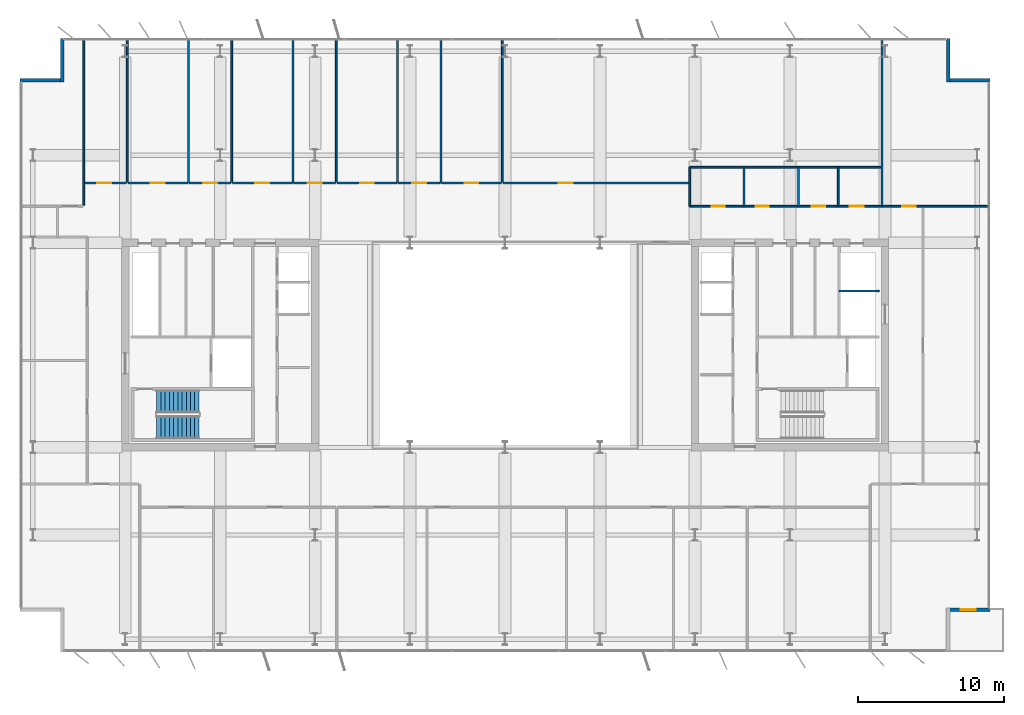
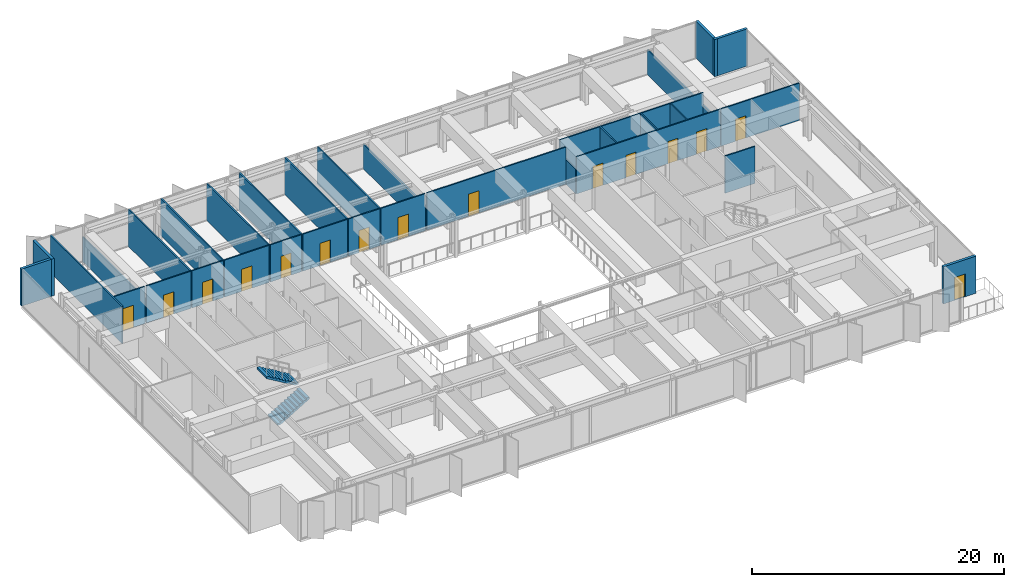
# One storey, part 19 of 24: 32 walls, 15 doors, 2 stair flights, 15 openings, 1 element without a shape of its own.
"""IFC4 building model written with IfcOpenShell, lengths in metres."""

from ifc_helpers import new_model, si_unit, direction, frame, frame_2d, origin, place, context, subcontext, project, spatial, polyline, rectangle, outline, extrude, material, layer, layer_set, type_object, element, fill, aggregate, save


model = new_model("IFC4")

# Units and contexts
model_context = context("Model", 3, precision=1e-05, world=origin(), true_north=direction((0.0, 1.0)))
body_context = subcontext(model_context, "Body", "Model", "MODEL_VIEW")
ifc_project = project(units=[si_unit("LENGTHUNIT", "METRE"), si_unit("AREAUNIT", "SQUARE_METRE"), si_unit("VOLUMEUNIT", "CUBIC_METRE"), si_unit("PLANEANGLEUNIT", "RADIAN"), si_unit("MASSUNIT", "GRAM", prefix="KILO")], contexts=[model_context])

# Site, building, storey
site_placement = place(None, origin())
site = spatial("IfcSite", under=ifc_project, at=site_placement, CompositionType="ELEMENT")
building_placement = place(site_placement, origin())
building = spatial("IfcBuilding", under=site, at=building_placement, Name="Putna Gate Headquarters", CompositionType="ELEMENT")
storey_placement = place(building_placement, frame((0.0, 0.0, 251.800048828125)))
storey = spatial("IfcBuildingStorey", under=building, at=storey_placement, Name="L63", CompositionType="ELEMENT", Elevation=251.800048828125)

# Walls
ifc_material_1 = material(Name="Precast concrete C40/50", Category="concrete")
ifc_layer_1 = layer(ifc_material_1, 0.239990234375)
ifc_layer_set_1 = layer_set([ifc_layer_1], Name="Precast concrete C40/50")
wall_type_1 = type_object("IfcWallType", Name="WALL-EXT-TERR-240", PredefinedType="STANDARD", material=ifc_layer_set_1)
for number, where, z_axis, x_axis, name in (
    (1, (8.679931640625, 44.0, 0.0), (0.0, 0.0, 1.0), (0.0, 1.0, 0.0), "L63 Corner Notch Return Wall NW-V"),
    (2, (5.800048828125, 44.1201171875, 0.0), (0.0, 0.0, 1.0), (1.0, 0.0, 0.0), "L63 Corner Notch Return Wall NW-H"),
    (3, (69.320068359375, 47.0, 0.0), (0.0, 0.0, 1.0), (0.0, -1.0, 0.0), "L63 Corner Notch Return Wall NE-V"),
    (4, (69.199951171875, 44.1201171875, 0.0), (0.0, 0.0, 1.0), (1.0, 0.0, 0.0), "L63 Corner Notch Return Wall NE-H"),
):
    element("IfcWall", number, at=place(storey_placement, frame(where, z_axis=z_axis, x_axis=x_axis)), inside=storey, type_object=wall_type_1, Name=name, PredefinedType="STANDARD", context=body_context, shape_type="SweptSolid", body=[
        extrude(rectangle(XDim=3.0, YDim=0.239990234375, at=frame_2d((1.5, 0.0))), origin(), (0.0, 0.0, 1.0), 3.587890625),
    ])

# Wall, opening, door
wall_1_placement = place(storey_placement, frame((72.199951171875, 7.8798828125, 0.0), z_axis=(0.0, 0.0, 1.0), x_axis=(-1.0, 0.0, 0.0)))
wall_1 = element("IfcWall", 5, at=wall_1_placement, inside=storey, type_object=wall_type_1, Name="L63 Corner Notch Return Wall SE-H", PredefinedType="STANDARD", context=body_context, shape_type="SweptSolid", body=[
    extrude(rectangle(XDim=3.0, YDim=0.239990234375, at=frame_2d((1.5, 0.0))), origin(), (0.0, 0.0, 1.0), 3.587890625),
])
opening_1_placement = place(wall_1_placement, frame((1.0, 0.0, 0.0)))
opening_1 = element("IfcOpeningElement", 6, at=opening_1_placement, cuts=wall_1, Name="Opening TRD-1", PredefinedType="OPENING", context=body_context, shape_type="SweptSolid", body=[
    extrude(rectangle(XDim=1.0, YDim=2.199951171875, at=frame_2d((0.5, 1.10009765625))), frame((0.0, 0.1298828125, 0.0), z_axis=(0.0, -1.0, 0.0), x_axis=(1.0, 0.0, 0.0)), (0.0, 0.0, 1.0), 0.260009765625),
])
ifc_material_2 = material(Name="Thermally broken bronze glazed terrace door")
door_type_1 = type_object("IfcDoorType", Name="DOOR-TERR-EXT-1000", OperationType="NOTDEFINED", PredefinedType="DOOR", material=ifc_material_2)
door_1_placement = place(opening_1_placement, origin())
door_1 = element("IfcDoor", 7, at=door_1_placement, inside=storey, type_object=door_type_1, Name="L63 Spiral Sky Terrace Door SE", OperationType="SINGLE_SWING_RIGHT", OverallHeight=2.199951171875, OverallWidth=1.0, PredefinedType="DOOR", context=body_context, shape_type="SweptSolid", body=[
    extrude(rectangle(XDim=1.0, YDim=2.199951171875, at=frame_2d((0.5, 1.10009765625))), frame((0.0, 0.02490234375, 0.0), z_axis=(0.0, -1.0, 0.0), x_axis=(1.0, 0.0, 0.0)), (0.0, 0.0, 1.0), 0.050048828125),
])
fill(opening_1, door_1)

# Walls
ifc_material_3 = material(Name="Acoustic gypsum board on metal stud")
ifc_layer_2 = layer(ifc_material_3, 0.1201171875)
ifc_layer_set_2 = layer_set([ifc_layer_2], Name="Acoustic gypsum board on metal stud")
wall_type_2 = type_object("IfcWallType", Name="WALL-PART-120", PredefinedType="PARTITIONING", material=ifc_layer_set_2)
wall_2_placement = place(storey_placement, frame((10.169921875, 35.56005859375, 0.0), z_axis=(0.0, 0.0, 1.0), x_axis=(0.0, 1.0, 0.0)))
element("IfcWall", 8, at=wall_2_placement, inside=storey, type_object=wall_type_2, Name="L63 Interior Wall PART-L63-NB-DIV-01", PredefinedType="PARTITIONING", context=body_context, shape_type="SweptSolid", body=[
    extrude(rectangle(XDim=11.419921875, YDim=0.1201171875, at=frame_2d((5.7099609375, 0.0))), origin(), (0.0, 0.0, 1.0), 3.587890625),
])
wall_3_placement = place(storey_placement, frame((13.1376953125, 37.159912109375, 0.0), z_axis=(0.0, 0.0, 1.0), x_axis=(0.0, 1.0, 0.0)))
element("IfcWall", 9, at=wall_3_placement, inside=storey, type_object=wall_type_2, Name="L63 Interior Wall PART-L63-NB-DIV-02", PredefinedType="PARTITIONING", context=body_context, shape_type="SweptSolid", body=[
    extrude(rectangle(XDim=9.820068359375, YDim=0.1201171875, at=frame_2d((4.91015625, 0.0))), origin(), (0.0, 0.0, 1.0), 2.387939453125),
])
for number, where, z_axis, x_axis, name in (
    (10, (17.327392578125, 37.159912109375, 0.0), (0.0, 0.0, 1.0), (0.0, 1.0, 0.0), "L63 Interior Wall PART-L63-NB-DIV-03"),
    (11, (20.295166015625, 37.159912109375, 0.0), (0.0, 0.0, 1.0), (0.0, 1.0, 0.0), "L63 Interior Wall PART-L63-NB-DIV-04"),
    (12, (24.48486328125, 37.159912109375, 0.0), (0.0, 0.0, 1.0), (0.0, 1.0, 0.0), "L63 Interior Wall PART-L63-NB-DIV-05"),
    (13, (27.45263671875, 37.159912109375, 0.0), (0.0, 0.0, 1.0), (0.0, 1.0, 0.0), "L63 Interior Wall PART-L63-NB-DIV-06"),
    (14, (31.642333984375, 37.159912109375, 0.0), (0.0, 0.0, 1.0), (0.0, 1.0, 0.0), "L63 Interior Wall PART-L63-NB-DIV-07"),
    (15, (34.610107421875, 37.159912109375, 0.0), (0.0, 0.0, 1.0), (0.0, 1.0, 0.0), "L63 Interior Wall PART-L63-NB-DIV-08"),
):
    element("IfcWall", number, at=place(storey_placement, frame(where, z_axis=z_axis, x_axis=x_axis)), inside=storey, type_object=wall_type_2, Name=name, PredefinedType="PARTITIONING", context=body_context, shape_type="SweptSolid", body=[
        extrude(rectangle(XDim=9.820068359375, YDim=0.1201171875, at=frame_2d((4.91015625, 0.0))), origin(), (0.0, 0.0, 1.0), 3.587890625),
    ])
wall_4_placement = place(storey_placement, frame((38.800048828125, 37.159912109375, 0.0), z_axis=(0.0, 0.0, 1.0), x_axis=(0.0, 1.0, 0.0)))
element("IfcWall", 16, at=wall_4_placement, inside=storey, type_object=wall_type_2, Name="L63 Interior Wall PART-L63-NB-DIV-09", PredefinedType="PARTITIONING", context=body_context, shape_type="SweptSolid", body=[
    extrude(rectangle(XDim=9.820068359375, YDim=0.1201171875, at=frame_2d((4.91015625, 0.0))), origin(), (0.0, 0.0, 1.0), 2.387939453125),
])
wall_5_placement = place(storey_placement, frame((64.800048828125, 35.56005859375, 0.0), z_axis=(0.0, 0.0, 1.0), x_axis=(0.0, 1.0, 0.0)))
element("IfcWall", 17, at=wall_5_placement, inside=storey, type_object=wall_type_2, Name="L63 Interior Wall PART-L63-NB-DIV-10", PredefinedType="PARTITIONING", context=body_context, shape_type="SweptSolid", body=[
    extrude(rectangle(XDim=11.419921875, YDim=0.1201171875, at=frame_2d((5.7099609375, 0.0))), origin(), (0.0, 0.0, 1.0), 2.387939453125),
])
ifc_material_4 = material(Name="Fire-rated shaftwall gypsum board on metal stud")
ifc_layer_3 = layer(ifc_material_4, 0.1201171875)
ifc_layer_set_3 = layer_set([ifc_layer_3], Name="Fire-rated shaftwall gypsum board on metal stud")
wall_type_3 = type_object("IfcWallType", Name="WALL-PART-120-EI120", PredefinedType="PARTITIONING", material=ifc_layer_set_3)
wall_6_placement = place(storey_placement, frame((61.8701171875, 29.699951171875, 0.0), z_axis=(0.0, 0.0, 1.0), x_axis=(1.0, 0.0, 0.0)))
element("IfcWall", 18, at=wall_6_placement, inside=storey, type_object=wall_type_3, Name="L63 Interior Wall CWINT-L63-EC-LF15-N", PredefinedType="PARTITIONING", context=body_context, shape_type="SweptSolid", body=[
    extrude(rectangle(XDim=2.72998046875, YDim=0.1201171875, at=frame_2d((1.364990234375, 0.0))), origin(), (0.0, 0.0, 1.0), 3.587890625),
])

# Wall, openings, doors
ifc_material_5 = material(Name="Fire-rated gypsum board on metal stud")
ifc_layer_4 = layer(ifc_material_5, 0.1201171875)
ifc_layer_set_4 = layer_set([ifc_layer_4], Name="Fire-rated gypsum board on metal stud")
wall_type_4 = type_object("IfcWallType", Name="WALL-PART-120-RATED", PredefinedType="PARTITIONING", material=ifc_layer_set_4)
wall_7_placement = place(storey_placement, frame((51.639892578125, 35.5, 0.0), z_axis=(0.0, 0.0, 1.0), x_axis=(1.0, 0.0, 0.0)))
wall_7 = element("IfcWall", 19, at=wall_7_placement, inside=storey, type_object=wall_type_4, Name="L63 Interior Wall PART-L63-SAN-CW", PredefinedType="PARTITIONING", context=body_context, shape_type="SweptSolid", body=[
    extrude(rectangle(XDim=13.16015625, YDim=0.1201171875, at=frame_2d((6.580078125, 0.0))), origin(), (0.0, 0.0, 1.0), 3.587890625),
])
opening_2_placement = place(wall_7_placement, frame((1.510009765625, 0.0, 0.0)))
opening_2 = element("IfcOpeningElement", 20, at=opening_2_placement, cuts=wall_7, Name="Opening FD-90", PredefinedType="OPENING", context=body_context, shape_type="SweptSolid", body=[
    extrude(rectangle(XDim=0.89990234375, YDim=2.14990234375, at=frame_2d((0.449951171875, 1.074951171875))), frame((0.0, 0.070068359375, 0.0), z_axis=(0.0, -1.0, 0.0), x_axis=(1.0, 0.0, 0.0)), (0.0, 0.0, 1.0), 0.14013671875),
])
opening_3_placement = place(wall_7_placement, frame((4.510009765625, 0.0, 0.0)))
opening_3 = element("IfcOpeningElement", 21, at=opening_3_placement, cuts=wall_7, Name="Opening FD-90", PredefinedType="OPENING", context=body_context, shape_type="SweptSolid", body=[
    extrude(rectangle(XDim=0.89990234375, YDim=2.14990234375, at=frame_2d((0.449951171875, 1.074951171875))), frame((0.0, 0.070068359375, 0.0), z_axis=(0.0, -1.0, 0.0), x_axis=(1.0, 0.0, 0.0)), (0.0, 0.0, 1.0), 0.14013671875),
])
opening_4_placement = place(wall_7_placement, frame((8.360107421875, 0.0, 0.0)))
opening_4 = element("IfcOpeningElement", 22, at=opening_4_placement, cuts=wall_7, Name="Opening FD-90", PredefinedType="OPENING", context=body_context, shape_type="SweptSolid", body=[
    extrude(rectangle(XDim=0.89990234375, YDim=2.14990234375, at=frame_2d((0.449951171875, 1.074951171875))), frame((0.0, 0.070068359375, 0.0), z_axis=(0.0, -1.0, 0.0), x_axis=(1.0, 0.0, 0.0)), (0.0, 0.0, 1.0), 0.14013671875),
])
opening_5_placement = place(wall_7_placement, frame((10.9599609375, 0.0, 0.0)))
opening_5 = element("IfcOpeningElement", 23, at=opening_5_placement, cuts=wall_7, Name="Opening FD-95", PredefinedType="OPENING", context=body_context, shape_type="SweptSolid", body=[
    extrude(rectangle(XDim=0.949951171875, YDim=2.14990234375, at=frame_2d((0.47509765625, 1.074951171875))), frame((0.0, 0.070068359375, 0.0), z_axis=(0.0, -1.0, 0.0), x_axis=(1.0, 0.0, 0.0)), (0.0, 0.0, 1.0), 0.14013671875),
])
ifc_material_6 = material(Name="Acoustic washroom fire door")
door_type_2 = type_object("IfcDoorType", Name="DOOR-FIRE-900", OperationType="NOTDEFINED", PredefinedType="DOOR", material=ifc_material_6)
door_2_placement = place(opening_2_placement, origin())
door_2 = element("IfcDoor", 24, at=door_2_placement, inside=storey, type_object=door_type_2, Name="L63 Washroom Male Door", OperationType="SINGLE_SWING_RIGHT", OverallHeight=2.14990234375, OverallWidth=0.89990234375, PredefinedType="DOOR", context=body_context, shape_type="SweptSolid", body=[
    extrude(rectangle(XDim=0.89990234375, YDim=2.14990234375, at=frame_2d((0.449951171875, 1.074951171875))), frame((0.0, 0.02490234375, 0.0), z_axis=(0.0, -1.0, 0.0), x_axis=(1.0, 0.0, 0.0)), (0.0, 0.0, 1.0), 0.050048828125),
])
fill(opening_2, door_2)
door_3_placement = place(opening_3_placement, origin())
door_3 = element("IfcDoor", 25, at=door_3_placement, inside=storey, type_object=door_type_2, Name="L63 Washroom Female Door", OperationType="SINGLE_SWING_LEFT", OverallHeight=2.14990234375, OverallWidth=0.89990234375, PredefinedType="DOOR", context=body_context, shape_type="SweptSolid", body=[
    extrude(rectangle(XDim=0.89990234375, YDim=2.14990234375, at=frame_2d((0.449951171875, 1.074951171875))), frame((0.0, 0.02490234375, 0.0), z_axis=(0.0, -1.0, 0.0), x_axis=(1.0, 0.0, 0.0)), (0.0, 0.0, 1.0), 0.050048828125),
])
fill(opening_3, door_3)
door_4_placement = place(opening_4_placement, origin())
door_4 = element("IfcDoor", 26, at=door_4_placement, inside=storey, type_object=door_type_2, Name="L63 Accessible WC Door", OperationType="SINGLE_SWING_RIGHT", OverallHeight=2.14990234375, OverallWidth=0.89990234375, PredefinedType="DOOR", context=body_context, shape_type="SweptSolid", body=[
    extrude(rectangle(XDim=0.89990234375, YDim=2.14990234375, at=frame_2d((0.449951171875, 1.074951171875))), frame((0.0, 0.02490234375, 0.0), z_axis=(0.0, -1.0, 0.0), x_axis=(1.0, 0.0, 0.0)), (0.0, 0.0, 1.0), 0.050048828125),
])
fill(opening_4, door_4)
ifc_material_7 = material(Name="Acoustic timber fire door", Category="wood")
door_type_3 = type_object("IfcDoorType", Name="DOOR-FIRE-950", OperationType="NOTDEFINED", PredefinedType="DOOR", material=ifc_material_7)
door_5_placement = place(opening_5_placement, origin())
door_5 = element("IfcDoor", 27, at=door_5_placement, inside=storey, type_object=door_type_3, Name="L63 Staff Pantry and Tea Point Door", OperationType="SINGLE_SWING_LEFT", OverallHeight=2.14990234375, OverallWidth=0.949951171875, PredefinedType="DOOR", context=body_context, shape_type="SweptSolid", body=[
    extrude(rectangle(XDim=0.949951171875, YDim=2.14990234375, at=frame_2d((0.47509765625, 1.074951171875))), frame((0.0, 0.02490234375, 0.0), z_axis=(0.0, -1.0, 0.0), x_axis=(1.0, 0.0, 0.0)), (0.0, 0.0, 1.0), 0.050048828125),
])
fill(opening_5, door_5)

# Walls
wall_8_placement = place(storey_placement, frame((51.639892578125, 38.179931640625, 0.0), z_axis=(0.0, 0.0, 1.0), x_axis=(1.0, 0.0, 0.0)))
element("IfcWall", 28, at=wall_8_placement, inside=storey, type_object=wall_type_4, Name="L63 Interior Wall PART-L63-SAN-BACK", PredefinedType="PARTITIONING", context=body_context, shape_type="SweptSolid", body=[
    extrude(rectangle(XDim=13.16015625, YDim=0.1201171875, at=frame_2d((6.580078125, 0.0))), origin(), (0.0, 0.0, 1.0), 3.587890625),
])
wall_9_placement = place(storey_placement, frame((51.639892578125, 35.5, 0.0), z_axis=(0.0, 0.0, 1.0), x_axis=(0.0, 1.0, 0.0)))
element("IfcWall", 29, at=wall_9_placement, inside=storey, type_object=wall_type_4, Name="L63 Interior Wall PART-L63-SAN-DIV-1", PredefinedType="PARTITIONING", context=body_context, shape_type="SweptSolid", body=[
    extrude(rectangle(XDim=2.679931640625, YDim=0.1201171875, at=frame_2d((1.33984375, 0.0))), origin(), (0.0, 0.0, 1.0), 2.387939453125),
])
for number, where, z_axis, x_axis, name in (
    (30, (55.360107421875, 35.5, 0.0), (0.0, 0.0, 1.0), (0.0, 1.0, 0.0), "L63 Interior Wall PART-L63-SAN-DIV-2"),
    (31, (59.080078125, 35.5, 0.0), (0.0, 0.0, 1.0), (0.0, 1.0, 0.0), "L63 Interior Wall PART-L63-SAN-DIV-3"),
    (32, (61.800048828125, 35.5, 0.0), (0.0, 0.0, 1.0), (0.0, 1.0, 0.0), "L63 Interior Wall PART-L63-SAN-DIV-4"),
):
    element("IfcWall", number, at=place(storey_placement, frame(where, z_axis=z_axis, x_axis=x_axis)), inside=storey, type_object=wall_type_4, Name=name, PredefinedType="PARTITIONING", context=body_context, shape_type="SweptSolid", body=[
        extrude(rectangle(XDim=2.679931640625, YDim=0.1201171875, at=frame_2d((1.33984375, 0.0))), origin(), (0.0, 0.0, 1.0), 3.587890625),
    ])

# Wall, opening, door
wall_10_placement = place(storey_placement, frame((10.229736328125, 37.10009765625, 0.0), z_axis=(0.0, 0.0, 1.0), x_axis=(1.0, 0.0, 0.0)))
wall_10 = element("IfcWall", 33, at=wall_10_placement, inside=storey, type_object=wall_type_4, Name="L63 Interior Wall PART-L63-NB-CW-02", PredefinedType="PARTITIONING", context=body_context, shape_type="SweptSolid", body=[
    extrude(rectangle(XDim=2.847900390625, YDim=0.1201171875, at=frame_2d((1.423828125, 0.0))), origin(), (0.0, 0.0, 1.0), 3.587890625),
])
opening_6_placement = place(wall_10_placement, frame((0.854248046875, 0.0, 0.0)))
opening_6 = element("IfcOpeningElement", 34, at=opening_6_placement, cuts=wall_10, Name="Opening FD-95", PredefinedType="OPENING", context=body_context, shape_type="SweptSolid", body=[
    extrude(rectangle(XDim=0.949951171875, YDim=2.14990234375, at=frame_2d((0.47509765625, 1.074951171875))), frame((0.0, 0.070068359375, 0.0), z_axis=(0.0, -1.0, 0.0), x_axis=(1.0, 0.0, 0.0)), (0.0, 0.0, 1.0), 0.14013671875),
])
door_6_placement = place(opening_6_placement, origin())
door_6 = element("IfcDoor", 35, at=door_6_placement, inside=storey, type_object=door_type_3, Name="L63 Cellular Office 5 Door", OperationType="SINGLE_SWING_LEFT", OverallHeight=2.14990234375, OverallWidth=0.949951171875, PredefinedType="DOOR", context=body_context, shape_type="SweptSolid", body=[
    extrude(rectangle(XDim=0.949951171875, YDim=2.14990234375, at=frame_2d((0.47509765625, 1.074951171875))), frame((0.0, 0.02490234375, 0.0), z_axis=(0.0, -1.0, 0.0), x_axis=(1.0, 0.0, 0.0)), (0.0, 0.0, 1.0), 0.050048828125),
])
fill(opening_6, door_6)

wall_11_placement = place(storey_placement, frame((13.197509765625, 37.10009765625, 0.0), z_axis=(0.0, 0.0, 1.0), x_axis=(1.0, 0.0, 0.0)))
wall_11 = element("IfcWall", 36, at=wall_11_placement, inside=storey, type_object=wall_type_4, Name="L63 Interior Wall PART-L63-NB-CW-03", PredefinedType="PARTITIONING", context=body_context, shape_type="SweptSolid", body=[
    extrude(rectangle(XDim=4.06982421875, YDim=0.1201171875, at=frame_2d((2.034912109375, 0.0))), origin(), (0.0, 0.0, 1.0), 3.587890625),
])
opening_7_placement = place(wall_11_placement, frame((1.559814453125, 0.0, 0.0)))
opening_7 = element("IfcOpeningElement", 37, at=opening_7_placement, cuts=wall_11, Name="Opening FD-95", PredefinedType="OPENING", context=body_context, shape_type="SweptSolid", body=[
    extrude(rectangle(XDim=0.949951171875, YDim=2.14990234375, at=frame_2d((0.47509765625, 1.074951171875))), frame((0.0, 0.070068359375, 0.0), z_axis=(0.0, -1.0, 0.0), x_axis=(1.0, 0.0, 0.0)), (0.0, 0.0, 1.0), 0.14013671875),
])
door_7_placement = place(opening_7_placement, origin())
door_7 = element("IfcDoor", 38, at=door_7_placement, inside=storey, type_object=door_type_3, Name="L63 Cellular Office 6 Door", OperationType="SINGLE_SWING_RIGHT", OverallHeight=2.14990234375, OverallWidth=0.949951171875, PredefinedType="DOOR", context=body_context, shape_type="SweptSolid", body=[
    extrude(rectangle(XDim=0.949951171875, YDim=2.14990234375, at=frame_2d((0.47509765625, 1.074951171875))), frame((0.0, 0.02490234375, 0.0), z_axis=(0.0, -1.0, 0.0), x_axis=(1.0, 0.0, 0.0)), (0.0, 0.0, 1.0), 0.050048828125),
])
fill(opening_7, door_7)

wall_12_placement = place(storey_placement, frame((17.38720703125, 37.10009765625, 0.0), z_axis=(0.0, 0.0, 1.0), x_axis=(1.0, 0.0, 0.0)))
wall_12 = element("IfcWall", 39, at=wall_12_placement, inside=storey, type_object=wall_type_4, Name="L63 Interior Wall PART-L63-NB-CW-04", PredefinedType="PARTITIONING", context=body_context, shape_type="SweptSolid", body=[
    extrude(rectangle(XDim=2.847900390625, YDim=0.1201171875, at=frame_2d((1.423828125, 0.0))), origin(), (0.0, 0.0, 1.0), 3.587890625),
])
opening_8_placement = place(wall_12_placement, frame((0.948974609375, 0.0, 0.0)))
opening_8 = element("IfcOpeningElement", 40, at=opening_8_placement, cuts=wall_12, Name="Opening FD-95", PredefinedType="OPENING", context=body_context, shape_type="SweptSolid", body=[
    extrude(rectangle(XDim=0.949951171875, YDim=2.14990234375, at=frame_2d((0.47509765625, 1.074951171875))), frame((0.0, 0.070068359375, 0.0), z_axis=(0.0, -1.0, 0.0), x_axis=(1.0, 0.0, 0.0)), (0.0, 0.0, 1.0), 0.14013671875),
])
door_8_placement = place(opening_8_placement, origin())
door_8 = element("IfcDoor", 41, at=door_8_placement, inside=storey, type_object=door_type_3, Name="L63 Cellular Office 7 Door", OperationType="SINGLE_SWING_LEFT", OverallHeight=2.14990234375, OverallWidth=0.949951171875, PredefinedType="DOOR", context=body_context, shape_type="SweptSolid", body=[
    extrude(rectangle(XDim=0.949951171875, YDim=2.14990234375, at=frame_2d((0.47509765625, 1.074951171875))), frame((0.0, 0.02490234375, 0.0), z_axis=(0.0, -1.0, 0.0), x_axis=(1.0, 0.0, 0.0)), (0.0, 0.0, 1.0), 0.050048828125),
])
fill(opening_8, door_8)

wall_13_placement = place(storey_placement, frame((20.35498046875, 37.10009765625, 0.0), z_axis=(0.0, 0.0, 1.0), x_axis=(1.0, 0.0, 0.0)))
wall_13 = element("IfcWall", 42, at=wall_13_placement, inside=storey, type_object=wall_type_4, Name="L63 Interior Wall PART-L63-NB-CW-05", PredefinedType="PARTITIONING", context=body_context, shape_type="SweptSolid", body=[
    extrude(rectangle(XDim=4.06982421875, YDim=0.1201171875, at=frame_2d((2.034912109375, 0.0))), origin(), (0.0, 0.0, 1.0), 3.587890625),
])
opening_9_placement = place(wall_13_placement, frame((1.559814453125, 0.0, 0.0)))
opening_9 = element("IfcOpeningElement", 43, at=opening_9_placement, cuts=wall_13, Name="Opening FD-95", PredefinedType="OPENING", context=body_context, shape_type="SweptSolid", body=[
    extrude(rectangle(XDim=0.949951171875, YDim=2.14990234375, at=frame_2d((0.47509765625, 1.074951171875))), frame((0.0, 0.070068359375, 0.0), z_axis=(0.0, -1.0, 0.0), x_axis=(1.0, 0.0, 0.0)), (0.0, 0.0, 1.0), 0.14013671875),
])
door_9_placement = place(opening_9_placement, origin())
door_9 = element("IfcDoor", 44, at=door_9_placement, inside=storey, type_object=door_type_3, Name="L63 Cellular Office 8 Door", OperationType="SINGLE_SWING_RIGHT", OverallHeight=2.14990234375, OverallWidth=0.949951171875, PredefinedType="DOOR", context=body_context, shape_type="SweptSolid", body=[
    extrude(rectangle(XDim=0.949951171875, YDim=2.14990234375, at=frame_2d((0.47509765625, 1.074951171875))), frame((0.0, 0.02490234375, 0.0), z_axis=(0.0, -1.0, 0.0), x_axis=(1.0, 0.0, 0.0)), (0.0, 0.0, 1.0), 0.050048828125),
])
fill(opening_9, door_9)

wall_14_placement = place(storey_placement, frame((24.544921875, 37.10009765625, 0.0), z_axis=(0.0, 0.0, 1.0), x_axis=(1.0, 0.0, 0.0)))
wall_14 = element("IfcWall", 45, at=wall_14_placement, inside=storey, type_object=wall_type_4, Name="L63 Interior Wall PART-L63-NB-CW-06", PredefinedType="PARTITIONING", context=body_context, shape_type="SweptSolid", body=[
    extrude(rectangle(XDim=2.84765625, YDim=0.1201171875, at=frame_2d((1.423828125, 0.0))), origin(), (0.0, 0.0, 1.0), 3.587890625),
])
opening_10_placement = place(wall_14_placement, frame((0.948974609375, 0.0, 0.0)))
opening_10 = element("IfcOpeningElement", 46, at=opening_10_placement, cuts=wall_14, Name="Opening FD-95", PredefinedType="OPENING", context=body_context, shape_type="SweptSolid", body=[
    extrude(rectangle(XDim=0.949951171875, YDim=2.14990234375, at=frame_2d((0.47509765625, 1.074951171875))), frame((0.0, 0.070068359375, 0.0), z_axis=(0.0, -1.0, 0.0), x_axis=(1.0, 0.0, 0.0)), (0.0, 0.0, 1.0), 0.14013671875),
])
door_10_placement = place(opening_10_placement, origin())
door_10 = element("IfcDoor", 47, at=door_10_placement, inside=storey, type_object=door_type_3, Name="L63 Conference Meeting Room 1 Door", OperationType="SINGLE_SWING_LEFT", OverallHeight=2.14990234375, OverallWidth=0.949951171875, PredefinedType="DOOR", context=body_context, shape_type="SweptSolid", body=[
    extrude(rectangle(XDim=0.949951171875, YDim=2.14990234375, at=frame_2d((0.47509765625, 1.074951171875))), frame((0.0, 0.02490234375, 0.0), z_axis=(0.0, -1.0, 0.0), x_axis=(1.0, 0.0, 0.0)), (0.0, 0.0, 1.0), 0.050048828125),
])
fill(opening_10, door_10)

wall_15_placement = place(storey_placement, frame((27.5126953125, 37.10009765625, 0.0), z_axis=(0.0, 0.0, 1.0), x_axis=(1.0, 0.0, 0.0)))
wall_15 = element("IfcWall", 48, at=wall_15_placement, inside=storey, type_object=wall_type_4, Name="L63 Interior Wall PART-L63-NB-CW-07", PredefinedType="PARTITIONING", context=body_context, shape_type="SweptSolid", body=[
    extrude(rectangle(XDim=4.06982421875, YDim=0.1201171875, at=frame_2d((2.034912109375, 0.0))), origin(), (0.0, 0.0, 1.0), 3.587890625),
])
opening_11_placement = place(wall_15_placement, frame((1.559814453125, 0.0, 0.0)))
opening_11 = element("IfcOpeningElement", 49, at=opening_11_placement, cuts=wall_15, Name="Opening FD-95", PredefinedType="OPENING", context=body_context, shape_type="SweptSolid", body=[
    extrude(rectangle(XDim=0.949951171875, YDim=2.14990234375, at=frame_2d((0.47509765625, 1.074951171875))), frame((0.0, 0.070068359375, 0.0), z_axis=(0.0, -1.0, 0.0), x_axis=(1.0, 0.0, 0.0)), (0.0, 0.0, 1.0), 0.14013671875),
])
door_11_placement = place(opening_11_placement, origin())
door_11 = element("IfcDoor", 50, at=door_11_placement, inside=storey, type_object=door_type_3, Name="L63 Conference Meeting Room 2 Door", OperationType="SINGLE_SWING_RIGHT", OverallHeight=2.14990234375, OverallWidth=0.949951171875, PredefinedType="DOOR", context=body_context, shape_type="SweptSolid", body=[
    extrude(rectangle(XDim=0.949951171875, YDim=2.14990234375, at=frame_2d((0.47509765625, 1.074951171875))), frame((0.0, 0.02490234375, 0.0), z_axis=(0.0, -1.0, 0.0), x_axis=(1.0, 0.0, 0.0)), (0.0, 0.0, 1.0), 0.050048828125),
])
fill(opening_11, door_11)

wall_16_placement = place(storey_placement, frame((31.702392578125, 37.10009765625, 0.0), z_axis=(0.0, 0.0, 1.0), x_axis=(1.0, 0.0, 0.0)))
wall_16 = element("IfcWall", 51, at=wall_16_placement, inside=storey, type_object=wall_type_4, Name="L63 Interior Wall PART-L63-NB-CW-08", PredefinedType="PARTITIONING", context=body_context, shape_type="SweptSolid", body=[
    extrude(rectangle(XDim=2.847900390625, YDim=0.1201171875, at=frame_2d((1.423828125, 0.0))), origin(), (0.0, 0.0, 1.0), 3.587890625),
])
opening_12_placement = place(wall_16_placement, frame((0.948974609375, 0.0, 0.0)))
opening_12 = element("IfcOpeningElement", 52, at=opening_12_placement, cuts=wall_16, Name="Opening FD-95", PredefinedType="OPENING", context=body_context, shape_type="SweptSolid", body=[
    extrude(rectangle(XDim=0.949951171875, YDim=2.14990234375, at=frame_2d((0.47509765625, 1.074951171875))), frame((0.0, 0.070068359375, 0.0), z_axis=(0.0, -1.0, 0.0), x_axis=(1.0, 0.0, 0.0)), (0.0, 0.0, 1.0), 0.14013671875),
])
door_12_placement = place(opening_12_placement, origin())
door_12 = element("IfcDoor", 53, at=door_12_placement, inside=storey, type_object=door_type_3, Name="L63 Conference Meeting Room 3 Door", OperationType="SINGLE_SWING_LEFT", OverallHeight=2.14990234375, OverallWidth=0.949951171875, PredefinedType="DOOR", context=body_context, shape_type="SweptSolid", body=[
    extrude(rectangle(XDim=0.949951171875, YDim=2.14990234375, at=frame_2d((0.47509765625, 1.074951171875))), frame((0.0, 0.02490234375, 0.0), z_axis=(0.0, -1.0, 0.0), x_axis=(1.0, 0.0, 0.0)), (0.0, 0.0, 1.0), 0.050048828125),
])
fill(opening_12, door_12)

wall_17_placement = place(storey_placement, frame((34.670166015625, 37.10009765625, 0.0), z_axis=(0.0, 0.0, 1.0), x_axis=(1.0, 0.0, 0.0)))
wall_17 = element("IfcWall", 54, at=wall_17_placement, inside=storey, type_object=wall_type_4, Name="L63 Interior Wall PART-L63-NB-CW-09", PredefinedType="PARTITIONING", context=body_context, shape_type="SweptSolid", body=[
    extrude(rectangle(XDim=4.06982421875, YDim=0.1201171875, at=frame_2d((2.034912109375, 0.0))), origin(), (0.0, 0.0, 1.0), 3.587890625),
])
opening_13_placement = place(wall_17_placement, frame((1.559814453125, 0.0, 0.0)))
opening_13 = element("IfcOpeningElement", 55, at=opening_13_placement, cuts=wall_17, Name="Opening FD-95", PredefinedType="OPENING", context=body_context, shape_type="SweptSolid", body=[
    extrude(rectangle(XDim=0.949951171875, YDim=2.14990234375, at=frame_2d((0.47509765625, 1.074951171875))), frame((0.0, 0.070068359375, 0.0), z_axis=(0.0, -1.0, 0.0), x_axis=(1.0, 0.0, 0.0)), (0.0, 0.0, 1.0), 0.14013671875),
])
door_13_placement = place(opening_13_placement, origin())
door_13 = element("IfcDoor", 56, at=door_13_placement, inside=storey, type_object=door_type_3, Name="L63 Conference Meeting Room 4 Door", OperationType="SINGLE_SWING_RIGHT", OverallHeight=2.14990234375, OverallWidth=0.949951171875, PredefinedType="DOOR", context=body_context, shape_type="SweptSolid", body=[
    extrude(rectangle(XDim=0.949951171875, YDim=2.14990234375, at=frame_2d((0.47509765625, 1.074951171875))), frame((0.0, 0.02490234375, 0.0), z_axis=(0.0, -1.0, 0.0), x_axis=(1.0, 0.0, 0.0)), (0.0, 0.0, 1.0), 0.050048828125),
])
fill(opening_13, door_13)

wall_18_placement = place(storey_placement, frame((38.860107421875, 37.10009765625, 0.0), z_axis=(0.0, 0.0, 1.0), x_axis=(1.0, 0.0, 0.0)))
wall_18 = element("IfcWall", 57, at=wall_18_placement, inside=storey, type_object=wall_type_4, Name="L63 Interior Wall PART-L63-NB-CW-10", PredefinedType="PARTITIONING", context=body_context, shape_type="SweptSolid", body=[
    extrude(rectangle(XDim=12.719970703125, YDim=0.1201171875, at=frame_2d((6.35986328125, 0.0))), origin(), (0.0, 0.0, 1.0), 3.587890625),
])
opening_14_placement = place(wall_18_placement, frame((3.81591796875, 0.0, 0.0)))
opening_14 = element("IfcOpeningElement", 58, at=opening_14_placement, cuts=wall_18, Name="Opening FD-95", PredefinedType="OPENING", context=body_context, shape_type="SweptSolid", body=[
    extrude(rectangle(XDim=0.949951171875, YDim=2.14990234375, at=frame_2d((0.47509765625, 1.074951171875))), frame((0.0, 0.070068359375, 0.0), z_axis=(0.0, -1.0, 0.0), x_axis=(1.0, 0.0, 0.0)), (0.0, 0.0, 1.0), 0.14013671875),
])
door_14_placement = place(opening_14_placement, origin())
door_14 = element("IfcDoor", 59, at=door_14_placement, inside=storey, type_object=door_type_3, Name="L63 Primary Open Office Workplace Door", OperationType="SINGLE_SWING_LEFT", OverallHeight=2.14990234375, OverallWidth=0.949951171875, PredefinedType="DOOR", context=body_context, shape_type="SweptSolid", body=[
    extrude(rectangle(XDim=0.949951171875, YDim=2.14990234375, at=frame_2d((0.47509765625, 1.074951171875))), frame((0.0, 0.02490234375, 0.0), z_axis=(0.0, -1.0, 0.0), x_axis=(1.0, 0.0, 0.0)), (0.0, 0.0, 1.0), 0.050048828125),
])
fill(opening_14, door_14)

wall_19_placement = place(storey_placement, frame((64.860107421875, 35.5, 0.0), z_axis=(0.0, 0.0, 1.0), x_axis=(1.0, 0.0, 0.0)))
wall_19 = element("IfcWall", 60, at=wall_19_placement, inside=storey, type_object=wall_type_4, Name="L63 Interior Wall PART-L63-NB-CW-11", PredefinedType="PARTITIONING", context=body_context, shape_type="SweptSolid", body=[
    extrude(rectangle(XDim=7.159912109375, YDim=0.1201171875, at=frame_2d((3.580078125, 0.0))), origin(), (0.0, 0.0, 1.0), 3.587890625),
])
opening_15_placement = place(wall_19_placement, frame((1.31005859375, 0.0, 0.0)))
opening_15 = element("IfcOpeningElement", 61, at=opening_15_placement, cuts=wall_19, Name="Opening FD-95", PredefinedType="OPENING", context=body_context, shape_type="SweptSolid", body=[
    extrude(rectangle(XDim=0.949951171875, YDim=2.14990234375, at=frame_2d((0.47509765625, 1.074951171875))), frame((0.0, 0.070068359375, 0.0), z_axis=(0.0, -1.0, 0.0), x_axis=(1.0, 0.0, 0.0)), (0.0, 0.0, 1.0), 0.14013671875),
])
door_15_placement = place(opening_15_placement, origin())
door_15 = element("IfcDoor", 62, at=door_15_placement, inside=storey, type_object=door_type_3, Name="L63 Cellular Office 2 Door", OperationType="SINGLE_SWING_RIGHT", OverallHeight=2.14990234375, OverallWidth=0.949951171875, PredefinedType="DOOR", context=body_context, shape_type="SweptSolid", body=[
    extrude(rectangle(XDim=0.949951171875, YDim=2.14990234375, at=frame_2d((0.47509765625, 1.074951171875))), frame((0.0, 0.02490234375, 0.0), z_axis=(0.0, -1.0, 0.0), x_axis=(1.0, 0.0, 0.0)), (0.0, 0.0, 1.0), 0.050048828125),
])
fill(opening_15, door_15)

# Stair, stair flights
ifc_material_8 = material(Name="Concrete C40/50", Category="concrete")
stair_type = type_object("IfcStairType", Name="STAIR-ST1", PredefinedType="HALF_TURN_STAIR", material=ifc_material_8)
stair_placement = place(storey_placement, origin())
stair = element("IfcStair", 63, at=stair_placement, inside=storey, type_object=stair_type, Name="L63 West Core Exit Stair ST1", PredefinedType="HALF_TURN_STAIR")
stair_flight_type = type_object("IfcStairFlightType", Name="FLIGHT-ST1", PredefinedType="STRAIGHT", material=ifc_material_8)
stair_flight_1_placement = place(storey_placement, frame((15.14990234375, 20.375, 0.0), z_axis=(0.0, 0.0, 1.0), x_axis=(1.0, 0.0, 0.0)))
stair_flight_1 = element("IfcStairFlight", 64, at=stair_flight_1_placement, type_object=stair_flight_type, Name="ST1 flight 1", NumberOfRisers=11, NumberOfTreads=10, PredefinedType="STRAIGHT", RiserHeight=0.172727273, TreadLength=0.29, context=body_context, shape_type="SweptSolid", body=[
    extrude(outline(polyline([(0.0, 0.0), (0.0, 0.172607421875), (0.2900390625, 0.172607421875), (0.2900390625, 0.345458984375), (0.580078125, 0.345458984375), (0.580078125, 0.51806640625), (0.8701171875, 0.51806640625), (0.8701171875, 0.69091796875), (1.159912109375, 0.69091796875), (1.159912109375, 0.863525390625), (1.449951171875, 0.863525390625), (1.449951171875, 1.036376953125), (1.739990234375, 1.036376953125), (1.739990234375, 1.208984375), (2.030029296875, 1.208984375), (2.030029296875, 1.3818359375), (2.320068359375, 1.3818359375), (2.320068359375, 1.554443359375), (2.610107421875, 1.554443359375), (2.610107421875, 1.727294921875), (2.89990234375, 1.727294921875), (2.89990234375, 1.89990234375), (2.89990234375, 1.552734375), (0.29296875, 0.0), (0.0, 0.0)])), frame((0.0, 0.77490234375, 0.0), z_axis=(0.0, -1.0, 0.0), x_axis=(1.0, 0.0, 0.0)), (0.0, 0.0, 1.0), 1.550048828125),
])
stair_flight_2_placement = place(storey_placement, frame((18.050048828125, 22.125, 1.89990234375), z_axis=(0.0, 0.0, 1.0), x_axis=(-1.0, 0.0, 0.0)))
stair_flight_2 = element("IfcStairFlight", 65, at=stair_flight_2_placement, type_object=stair_flight_type, Name="ST1 flight 2", NumberOfRisers=11, NumberOfTreads=10, PredefinedType="STRAIGHT", RiserHeight=0.172727273, TreadLength=0.29, context=body_context, shape_type="SweptSolid", body=[
    extrude(outline(polyline([(0.0, 0.0), (0.0, 0.172607421875), (0.2900390625, 0.172607421875), (0.2900390625, 0.345458984375), (0.580078125, 0.345458984375), (0.580078125, 0.51806640625), (0.8701171875, 0.51806640625), (0.8701171875, 0.69091796875), (1.159912109375, 0.69091796875), (1.159912109375, 0.863525390625), (1.449951171875, 0.863525390625), (1.449951171875, 1.036376953125), (1.739990234375, 1.036376953125), (1.739990234375, 1.208984375), (2.030029296875, 1.208984375), (2.030029296875, 1.3818359375), (2.320068359375, 1.3818359375), (2.320068359375, 1.554443359375), (2.610107421875, 1.554443359375), (2.610107421875, 1.727294921875), (2.89990234375, 1.727294921875), (2.89990234375, 1.89990234375), (2.89990234375, 1.552734375), (0.29296875, 0.0), (0.0, 0.0)])), frame((0.0, 0.77490234375, 0.0), z_axis=(0.0, -1.0, 0.0), x_axis=(1.0, 0.0, 0.0)), (0.0, 0.0, 1.0), 1.550048828125),
])
aggregate(stair, [stair_flight_1, stair_flight_2])

save(model, "model.ifc")
